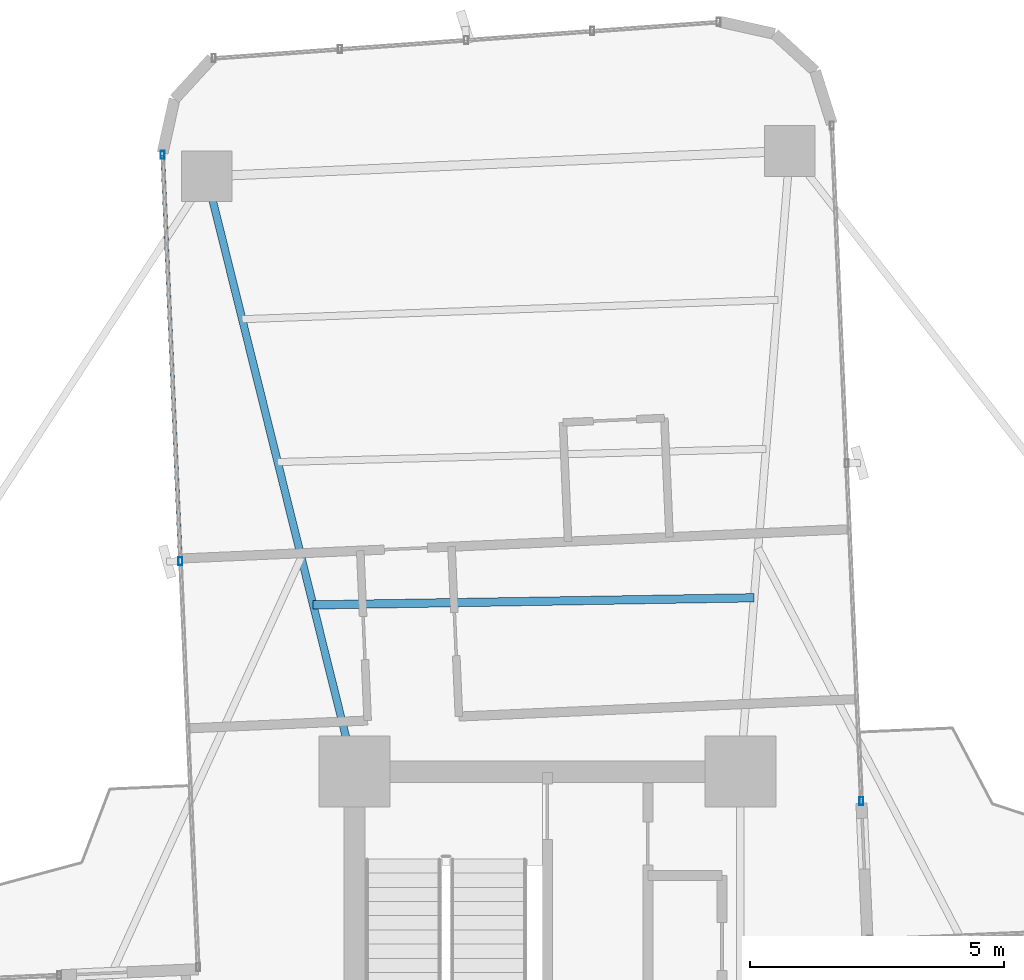
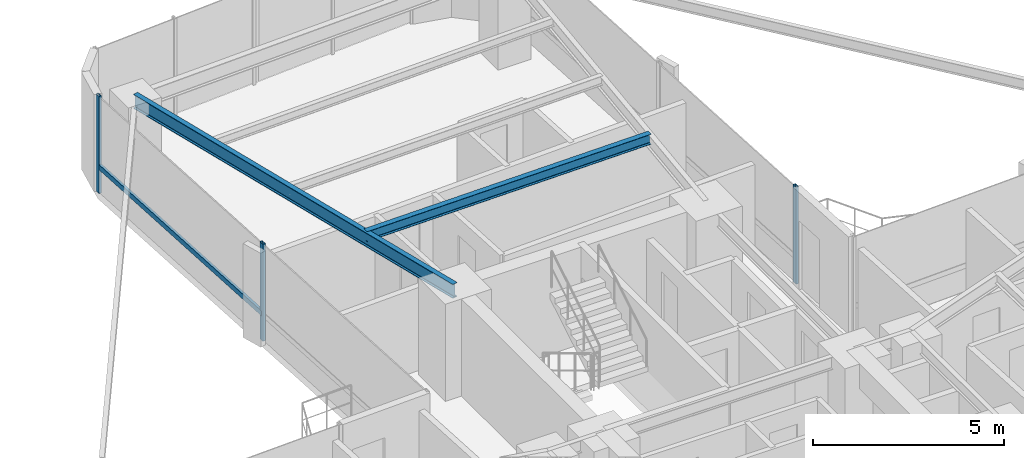
# One storey, part 17 of 26: 4 members, 2 beams, 2 elements without a shape of their own.
"""IFC4 building model written with IfcOpenShell, lengths in metres."""

from ifc_helpers import new_model, si_unit, direction, frame, origin, origin_2d, place, context, subcontext, project, spatial, hollow_rectangle, i_section, extrude, source, transform, mapped, material, material_profile, profile_set, type_object, element, aggregate, save


model = new_model("IFC4")

# Units and contexts
model_context = context("Model", 3, precision=1e-05, world=origin(), true_north=direction((0.0, 1.0)))
body_context = subcontext(model_context, "Body", "Model", "MODEL_VIEW")
ifc_project = project(units=[si_unit("LENGTHUNIT", "METRE"), si_unit("AREAUNIT", "SQUARE_METRE"), si_unit("VOLUMEUNIT", "CUBIC_METRE"), si_unit("PLANEANGLEUNIT", "RADIAN"), si_unit("MASSUNIT", "GRAM", prefix="KILO")], contexts=[model_context])

# Site, building, storey
site_placement = place(None, origin())
site = spatial("IfcSite", under=ifc_project, at=site_placement, CompositionType="ELEMENT")
building_placement = place(site_placement, origin())
building = spatial("IfcBuilding", under=site, at=building_placement, Name="Sahyath Konkavel Grand Hotel", CompositionType="ELEMENT")
storey_placement = place(building_placement, frame((0.0, 0.0, 86.85009765625)))
storey = spatial("IfcBuildingStorey", under=building, at=storey_placement, Name="L23", CompositionType="ELEMENT", Elevation=86.85009765625)

# Beams
ifc_material_1 = material(Name="Steel E350", Category="steel")
ifc_material_profile_1 = material_profile(ifc_material_1, i_section(OverallWidth=0.14990234375, OverallDepth=0.449951171875, WebThickness=0.009521484375, FlangeThickness=0.017333984375, FilletRadius=0.014892578125, at=origin_2d()), Name="ISMB 450")
ifc_profile_set_1 = profile_set([ifc_material_profile_1], Name="Steel E350")
beam_type_1 = type_object("IfcBeamType", Name="BM-ISMB450", PredefinedType="BEAM", material=ifc_profile_set_1)
shared_shape_1 = source(origin(), body_context, "Body", "SweptSolid", [
    extrude(i_section(OverallWidth=0.14990234375, OverallDepth=0.449951171875, WebThickness=0.009521484375, FlangeThickness=0.017333984375, FilletRadius=0.014892578125, at=origin_2d()), origin(), (0.0, 0.0, 1.0), 12.084228515625),
])
beam_1_placement = place(storey_placement, frame((-3.800048828125, 10.199951171875, 2.885009765625), z_axis=(-0.241042688481, 0.970514514229, 0.0), x_axis=(-0.970514514229, -0.241042688481, 0.0)))
element("IfcBeam", 1, at=beam_1_placement, inside=storey, type_object=beam_type_1, Name="L23 Cruciform Radial Girder NB", PredefinedType="BEAM", context=body_context, shape_type="MappedRepresentation", body=[
    mapped(shared_shape_1, transform((0.0, 0.0, 0.0), scale=1.0)),
])
ifc_material_profile_2 = material_profile(ifc_material_1, i_section(OverallWidth=0.1650390625, OverallDepth=0.324951171875, WebThickness=0.007080078125, FlangeThickness=0.009765625, FilletRadius=0.014892578125, at=origin_2d()), Name="ISLB 325")
ifc_profile_set_2 = profile_set([ifc_material_profile_2], Name="Steel E350")
beam_type_2 = type_object("IfcBeamType", Name="BM-ISLB325", PredefinedType="BEAM", material=ifc_profile_set_2)
shared_shape_2 = source(origin(), body_context, "Body", "SweptSolid", [
    extrude(i_section(OverallWidth=0.1650390625, OverallDepth=0.324951171875, WebThickness=0.007080078125, FlangeThickness=0.009765625, FilletRadius=0.014892578125, at=origin_2d()), origin(), (0.0, 0.0, 1.0), 8.68994140625),
])
beam_2_placement = place(storey_placement, frame((4.0732421875, 13.624267578125, 2.947509765625), z_axis=(-0.999869506431, -0.016154569283, 0.0), x_axis=(0.016154569283, -0.999869506431, 0.0)))
element("IfcBeam", 2, at=beam_2_placement, inside=storey, type_object=beam_type_2, Name="L23 Secondary Floor Beam N-1", PredefinedType="BEAM", context=body_context, shape_type="MappedRepresentation", body=[
    mapped(shared_shape_2, transform((0.0, 0.0, 0.0), scale=1.0)),
])

# Curtain wall, member
ifc_material_2 = material(Name="Anodised Bronze Aluminium & Low-E Glazing", Category="aluminium")
curtain_wall_type = type_object("IfcCurtainWallType", Name="CW-ZONE2", PredefinedType="NOTDEFINED", material=ifc_material_2)
curtain_wall_1_placement = place(storey_placement, origin())
curtain_wall_1 = element("IfcCurtainWall", 3, at=curtain_wall_1_placement, inside=storey, type_object=curtain_wall_type, Name="L23 Unitised Curtain Wall F8", PredefinedType="NOTDEFINED")
ifc_material_3 = material(Name="Anodised Bronze Aluminium", Category="aluminium")
ifc_material_profile_3 = material_profile(ifc_material_3, hollow_rectangle(XDim=0.080078125, YDim=0.159912109375, WallThickness=0.006103515625, at=origin_2d()), Name="RHS 160x80x6")
ifc_profile_set_3 = profile_set([ifc_material_profile_3], Name="Anodised Bronze Aluminium")
member_type_1 = type_object("IfcMemberType", Name="CW-MUL-160", PredefinedType="MULLION", material=ifc_profile_set_3)
shared_shape_3 = source(origin(), body_context, "Body", "SweptSolid", [
    extrude(hollow_rectangle(XDim=0.080078125, YDim=0.159912109375, WallThickness=0.006103515625, at=origin_2d()), origin(), (0.0, 0.0, 1.0), 3.10986328125),
])
member_1_placement = place(storey_placement, frame((6.186279296875, 9.618896484375, 0.0), z_axis=(0.0, 0.0, 1.0), x_axis=(1.0, 0.0, 0.0)))
member_1 = element("IfcMember", 4, at=member_1_placement, type_object=member_type_1, Name="L23 Curtain Wall Mullion F8-0", PredefinedType="MULLION", context=body_context, shape_type="MappedRepresentation", body=[
    mapped(shared_shape_3, transform((0.0, 0.0, 0.0), scale=1.0)),
])
aggregate(curtain_wall_1, [member_1])

# Curtain wall, members
curtain_wall_2_placement = place(storey_placement, origin())
curtain_wall_2 = element("IfcCurtainWall", 5, at=curtain_wall_2_placement, inside=storey, type_object=curtain_wall_type, Name="L23 Unitised Curtain Wall F15", PredefinedType="NOTDEFINED")
member_2_placement = place(storey_placement, frame((-7.582275390625, 22.3505859375, 0.0), z_axis=(0.0, 0.0, 1.0), x_axis=(1.0, 0.0, 0.0)))
member_2 = element("IfcMember", 6, at=member_2_placement, type_object=member_type_1, Name="L23 Curtain Wall Mullion F15-0", PredefinedType="MULLION", context=body_context, shape_type="MappedRepresentation", body=[
    mapped(shared_shape_3, transform((0.0, 0.0, 0.0), scale=1.0)),
])
member_3_placement = place(storey_placement, frame((-7.232666015625, 14.34814453125, 0.0), z_axis=(0.0, 0.0, 1.0), x_axis=(1.0, 0.0, 0.0)))
member_3 = element("IfcMember", 7, at=member_3_placement, type_object=member_type_1, Name="L23 Curtain Wall Mullion F15-1", PredefinedType="MULLION", context=body_context, shape_type="MappedRepresentation", body=[
    mapped(shared_shape_3, transform((0.0, 0.0, 0.0), scale=1.0)),
])
ifc_material_profile_4 = material_profile(ifc_material_3, hollow_rectangle(XDim=0.080078125, YDim=0.159912109375, WallThickness=0.006103515625, at=origin_2d()), Name="RHS 160x80x6")
ifc_profile_set_4 = profile_set([ifc_material_profile_4], Name="Anodised Bronze Aluminium")
member_type_2 = type_object("IfcMemberType", Name="CW-TRN-160", PredefinedType="USERDEFINED", material=ifc_profile_set_4)
shared_shape_4 = source(origin(), body_context, "Body", "SweptSolid", [
    extrude(hollow_rectangle(XDim=0.080078125, YDim=0.159912109375, WallThickness=0.006103515625, at=origin_2d()), origin(), (0.0, 0.0, 1.0), 8.010009765625),
])
member_4_placement = place(storey_placement, frame((-7.582275390625, 22.3505859375, 0.849853515625), z_axis=(0.043646207089, -0.999047050247, 0.0), x_axis=(0.999047050247, 0.043646207089, 0.0)))
member_4 = element("IfcMember", 8, at=member_4_placement, type_object=member_type_2, Name="L23 Curtain Wall Transom F15-0-spandrel", ObjectType="TRANSOM", PredefinedType="USERDEFINED", context=body_context, shape_type="MappedRepresentation", body=[
    mapped(shared_shape_4, transform((0.0, 0.0, 0.0), scale=1.0)),
])
aggregate(curtain_wall_2, [member_2, member_3, member_4])

save(model, "model.ifc")
